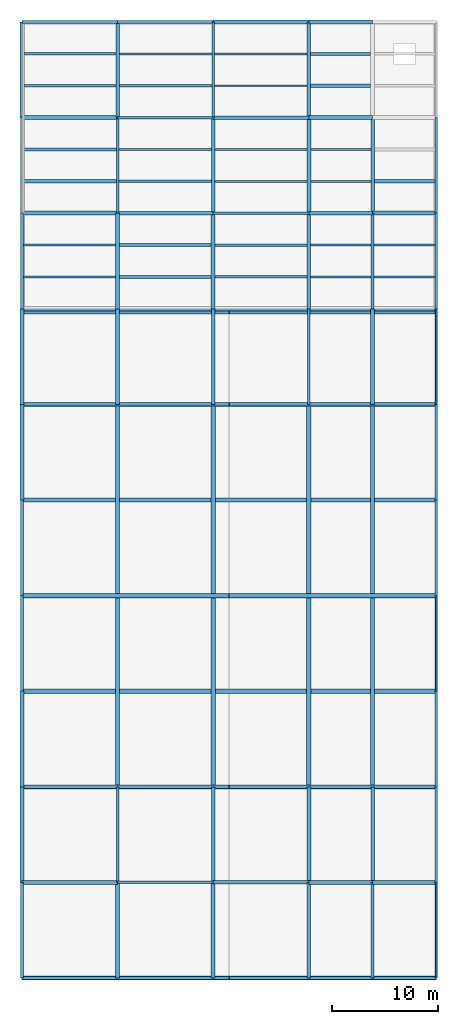
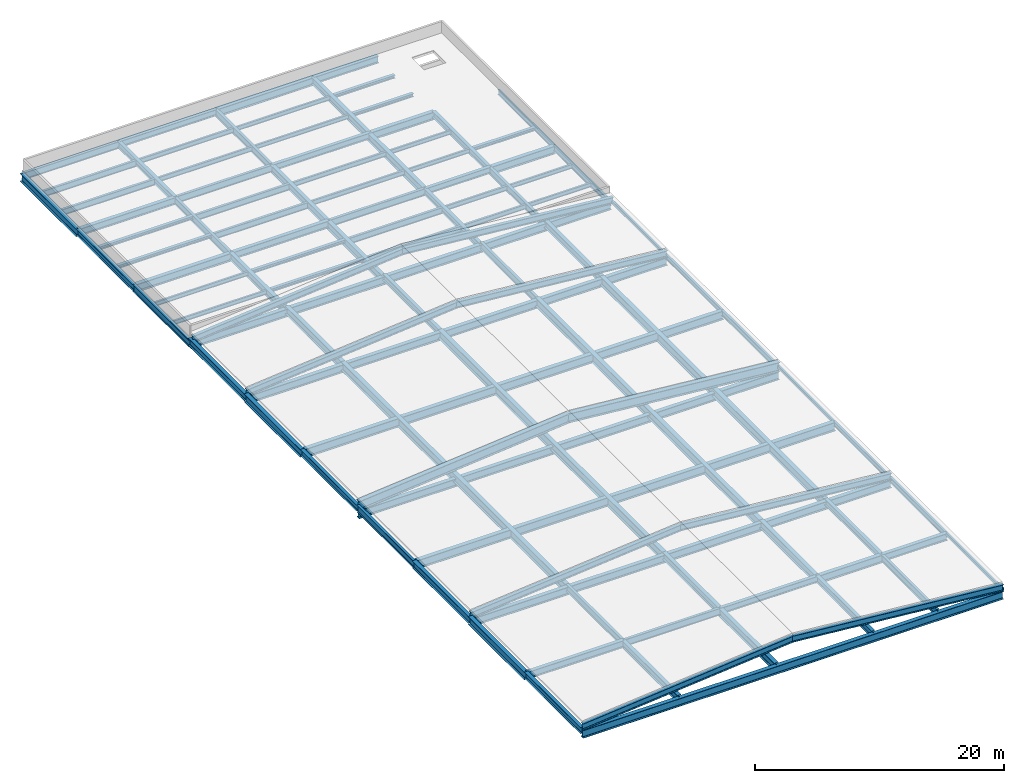
# One storey, part 1 of 3: 108 beams.
"""IFC4 building model written with IfcOpenShell, lengths in metres."""

from ifc_helpers import new_model, si_unit, direction, frame, origin, origin_2d, place, context, subcontext, project, spatial, hollow_rectangle, i_section, extrude, material, material_profile, profile_set, type_object, element, save


model = new_model("IFC4")

# Units and contexts
model_context = context("Model", 3, precision=1e-05, world=origin(), true_north=direction((0.0, 1.0)))
body_context = subcontext(model_context, "Body", "Model", "MODEL_VIEW")
ifc_project = project(units=[si_unit("LENGTHUNIT", "METRE"), si_unit("AREAUNIT", "SQUARE_METRE"), si_unit("VOLUMEUNIT", "CUBIC_METRE"), si_unit("PLANEANGLEUNIT", "RADIAN"), si_unit("MASSUNIT", "GRAM", prefix="KILO")], contexts=[model_context])

# Site, building, storey
site_placement = place(None, origin())
site = spatial("IfcSite", under=ifc_project, at=site_placement, CompositionType="ELEMENT")
building_placement = place(site_placement, origin())
building = spatial("IfcBuilding", under=site, at=building_placement, Name="Qamarlyn Nura Convention Centre", CompositionType="ELEMENT")
storey_placement = place(building_placement, frame((0.0, 0.0, 30.0)))
storey = spatial("IfcBuildingStorey", under=building, at=storey_placement, Name="RF", CompositionType="ELEMENT", Elevation=30.0)

# Beams
ifc_material_1 = material(Name="Steel ASTM A992", Category="steel")
ifc_material_profile_1 = material_profile(ifc_material_1, i_section(OverallWidth=0.41796875, OverallDepth=0.912109375, WebThickness=0.019287109375, FlangeThickness=0.031982421875, FilletRadius=0.02392578125, at=origin_2d()), Name="W920X342")
ifc_profile_set_1 = profile_set([ifc_material_profile_1], Name="Steel ASTM A992")
beam_type_1 = type_object("IfcBeamType", Name="BM-CROWN-920", PredefinedType="BEAM", material=ifc_profile_set_1)
for number, where, z_axis, x_axis, name in (
    (1, (153.0, 36.0, -0.055908203125), (0.995767591834, 0.0, 0.091907034843), (0.0, 1.0, 0.0), "ROOF TRUSS Crown rafter W-Y36"),
    (2, (172.5, 36.0, 1.743896484375), (0.995767591834, 0.0, -0.091907034843), (0.0, 1.0, 0.0), "ROOF TRUSS Crown rafter E-Y36"),
):
    element("IfcBeam", number, at=place(storey_placement, frame(where, z_axis=z_axis, x_axis=x_axis)), inside=storey, type_object=beam_type_1, Name=name, PredefinedType="BEAM", context=body_context, shape_type="SweptSolid", body=[
        extrude(i_section(OverallWidth=0.41796875, OverallDepth=0.912109375, WebThickness=0.019287109375, FlangeThickness=0.031982421875, FilletRadius=0.02392578125, at=origin_2d()), origin(), (0.0, 0.0, 1.0), 19.582763671875),
    ])
ifc_material_profile_2 = material_profile(ifc_material_1, i_section(OverallWidth=0.323974609375, OverallDepth=0.611083984375, WebThickness=0.0126953125, FlangeThickness=0.01904296875, FilletRadius=0.01611328125, at=origin_2d()), Name="W610X155")
ifc_profile_set_2 = profile_set([ifc_material_profile_2], Name="Steel ASTM A992")
beam_type_2 = type_object("IfcBeamType", Name="BM-GIRD-610", PredefinedType="BEAM", material=ifc_profile_set_2)
beam_1_placement = place(storey_placement, frame((171.0, 9.0, -0.305419921875), z_axis=(1.0, 0.0, 0.0), x_axis=(0.0, 1.0, 0.0)))
element("IfcBeam", 3, at=beam_1_placement, inside=storey, type_object=beam_type_2, Name="RF girder B 15-16", PredefinedType="BEAM", context=body_context, shape_type="SweptSolid", body=[
    extrude(i_section(OverallWidth=0.323974609375, OverallDepth=0.611083984375, WebThickness=0.0126953125, FlangeThickness=0.01904296875, FilletRadius=0.01611328125, at=origin_2d()), origin(), (0.0, 0.0, 1.0), 9.0),
])
beam_2_placement = place(storey_placement, frame((180.0, 72.0, -0.510498046875), z_axis=(1.0, 0.0, 0.0), x_axis=(0.0, 1.0, 0.0)))
element("IfcBeam", 4, at=beam_2_placement, inside=storey, type_object=beam_type_2, Name="RF girder J 16-17", PredefinedType="BEAM", context=body_context, shape_type="SweptSolid", body=[
    extrude(i_section(OverallWidth=0.323974609375, OverallDepth=0.611083984375, WebThickness=0.0126953125, FlangeThickness=0.01904296875, FilletRadius=0.01611328125, at=origin_2d()), origin(), (0.0, 0.0, 1.0), 6.0),
])
for number, where, z_axis, x_axis, name in (
    (5, (171.0, 81.0, -0.510498046875), (1.0, 0.0, 0.0), (0.0, 1.0, 0.0), "RF girder K 15-16"),
    (6, (162.0, 90.0, -0.510498046875), (1.0, 0.0, 0.0), (0.0, 1.0, 0.0), "RF girder L 14-15"),
    (7, (153.0, 0.0, -0.305419921875), (0.0, 1.0, 0.0), (-1.0, 0.0, 0.0), "RF girder 13 A-B"),
    (8, (153.0, 36.0, -0.305419921875), (0.0, 1.0, 0.0), (-1.0, 0.0, 0.0), "RF girder 13 E-F"),
    (9, (153.0, 72.0, -0.510498046875), (0.0, 1.0, 0.0), (-1.0, 0.0, 0.0), "RF girder 13 J-K"),
    (10, (162.0, 81.0, -0.510498046875), (0.0, 1.0, 0.0), (-1.0, 0.0, 0.0), "RF girder 14 K-L"),
    (11, (171.0, 54.0, -0.305419921875), (0.0, 1.0, 0.0), (-1.0, 0.0, 0.0), "RF girder 15 G-H"),
    (12, (180.0, 0.0, -0.305419921875), (0.0, 1.0, 0.0), (-1.0, 0.0, 0.0), "RF girder 16 A-B"),
    (13, (180.0, 63.0, -0.510498046875), (0.0, 1.0, 0.0), (-1.0, 0.0, 0.0), "RF girder 16 H-J"),
    (14, (186.0, 9.0, -0.305419921875), (0.0, 1.0, 0.0), (-1.0, 0.0, 0.0), "RF girder 17 B-C"),
    (15, (186.0, 72.0, -0.510498046875), (0.0, 1.0, 0.0), (-1.0, 0.0, 0.0), "RF girder 17 J-K"),
):
    element("IfcBeam", number, at=place(storey_placement, frame(where, z_axis=z_axis, x_axis=x_axis)), inside=storey, type_object=beam_type_2, Name=name, PredefinedType="BEAM", context=body_context, shape_type="SweptSolid", body=[
        extrude(i_section(OverallWidth=0.323974609375, OverallDepth=0.611083984375, WebThickness=0.0126953125, FlangeThickness=0.01904296875, FilletRadius=0.01611328125, at=origin_2d()), origin(), (0.0, 0.0, 1.0), 9.0),
    ])
for number, where, z_axis, x_axis, name in (
    (16, (153.0, 0.0, 0.094482421875), (0.995766450799, 0.0, 0.091919396556), (0.0, 1.0, 0.0), "ROOF TRUSS Crown rafter W-Y0"),
    (17, (172.5, 0.0, 1.89453125), (0.995766450799, 0.0, -0.091919396556), (0.0, 1.0, 0.0), "ROOF TRUSS Crown rafter E-Y0"),
    (18, (153.0, 18.0, 0.094482421875), (0.995766450799, 0.0, 0.091919396556), (0.0, 1.0, 0.0), "ROOF TRUSS Crown rafter W-Y18"),
    (19, (172.5, 18.0, 1.89453125), (0.995766450799, 0.0, -0.091919396556), (0.0, 1.0, 0.0), "ROOF TRUSS Crown rafter E-Y18"),
    (20, (153.0, 54.0, 0.094482421875), (0.995766450799, 0.0, 0.091919396556), (0.0, 1.0, 0.0), "ROOF TRUSS Crown rafter W-Y54"),
    (21, (172.5, 54.0, 1.89453125), (0.995766450799, 0.0, -0.091919396556), (0.0, 1.0, 0.0), "ROOF TRUSS Crown rafter E-Y54"),
    (22, (153.0, 62.64990234375, 0.094482421875), (0.995766450799, 0.0, 0.091919396556), (0.0, 1.0, 0.0), "ROOF TRUSS Crown rafter W-Y63"),
    (23, (172.5, 62.64990234375, 1.89453125), (0.995766450799, 0.0, -0.091919396556), (0.0, 1.0, 0.0), "ROOF TRUSS Crown rafter E-Y63"),
):
    element("IfcBeam", number, at=place(storey_placement, frame(where, z_axis=z_axis, x_axis=x_axis)), inside=storey, type_object=beam_type_2, Name=name, PredefinedType="BEAM", context=body_context, shape_type="SweptSolid", body=[
        extrude(i_section(OverallWidth=0.323974609375, OverallDepth=0.611083984375, WebThickness=0.0126953125, FlangeThickness=0.01904296875, FilletRadius=0.01611328125, at=origin_2d()), origin(), (0.0, 0.0, 1.0), 19.5830078125),
    ])
ifc_material_profile_3 = material_profile(ifc_material_1, i_section(OverallWidth=0.35498046875, OverallDepth=0.695068359375, WebThickness=0.015380859375, FlangeThickness=0.02490234375, FilletRadius=0.01806640625, at=origin_2d()), Name="W690X217")
ifc_profile_set_3 = profile_set([ifc_material_profile_3], Name="Steel ASTM A992")
beam_type_3 = type_object("IfcBeamType", Name="BM-GIRD-690A", PredefinedType="BEAM", material=ifc_profile_set_3)
beam_3_placement = place(storey_placement, frame((153.0, 9.0, -0.347412109375), z_axis=(1.0, 0.0, 0.0), x_axis=(0.0, 1.0, 0.0)))
element("IfcBeam", 24, at=beam_3_placement, inside=storey, type_object=beam_type_3, Name="RF girder B 13-14", PredefinedType="BEAM", context=body_context, shape_type="SweptSolid", body=[
    extrude(i_section(OverallWidth=0.35498046875, OverallDepth=0.695068359375, WebThickness=0.015380859375, FlangeThickness=0.02490234375, FilletRadius=0.01806640625, at=origin_2d()), origin(), (0.0, 0.0, 1.0), 9.0),
])
beam_4_placement = place(storey_placement, frame((186.0, 9.0, -0.347412109375), z_axis=(1.0, 0.0, 0.0), x_axis=(0.0, 1.0, 0.0)))
element("IfcBeam", 25, at=beam_4_placement, inside=storey, type_object=beam_type_3, Name="RF girder B 17-18", PredefinedType="BEAM", context=body_context, shape_type="SweptSolid", body=[
    extrude(i_section(OverallWidth=0.35498046875, OverallDepth=0.695068359375, WebThickness=0.015380859375, FlangeThickness=0.02490234375, FilletRadius=0.01806640625, at=origin_2d()), origin(), (0.0, 0.0, 1.0), 6.0),
])
for number, where, z_axis, x_axis, name in (
    (26, (162.0, 72.0, -0.552490234375), (1.0, 0.0, 0.0), (0.0, 1.0, 0.0), "RF girder J 14-15"),
    (27, (153.0, 81.0, -0.552490234375), (1.0, 0.0, 0.0), (0.0, 1.0, 0.0), "RF girder K 13-14"),
):
    element("IfcBeam", number, at=place(storey_placement, frame(where, z_axis=z_axis, x_axis=x_axis)), inside=storey, type_object=beam_type_3, Name=name, PredefinedType="BEAM", context=body_context, shape_type="SweptSolid", body=[
        extrude(i_section(OverallWidth=0.35498046875, OverallDepth=0.695068359375, WebThickness=0.015380859375, FlangeThickness=0.02490234375, FilletRadius=0.01806640625, at=origin_2d()), origin(), (0.0, 0.0, 1.0), 9.0),
    ])
beam_5_placement = place(storey_placement, frame((180.0, 90.0, -0.552490234375), z_axis=(1.0, 0.0, 0.0), x_axis=(0.0, 1.0, 0.0)))
element("IfcBeam", 28, at=beam_5_placement, inside=storey, type_object=beam_type_3, Name="RF girder L 16-17", PredefinedType="BEAM", context=body_context, shape_type="SweptSolid", body=[
    extrude(i_section(OverallWidth=0.35498046875, OverallDepth=0.695068359375, WebThickness=0.015380859375, FlangeThickness=0.02490234375, FilletRadius=0.01806640625, at=origin_2d()), origin(), (0.0, 0.0, 1.0), 6.0),
])
for number, where, z_axis, x_axis, name in (
    (29, (153.0, 18.0, -0.347412109375), (0.0, 1.0, 0.0), (-1.0, 0.0, 0.0), "RF girder 13 C-D"),
    (30, (153.0, 54.0, -0.347412109375), (0.0, 1.0, 0.0), (-1.0, 0.0, 0.0), "RF girder 13 G-H"),
    (31, (162.0, 0.0, -0.347412109375), (0.0, 1.0, 0.0), (-1.0, 0.0, 0.0), "RF girder 14 A-B"),
    (32, (162.0, 63.0, -0.552490234375), (0.0, 1.0, 0.0), (-1.0, 0.0, 0.0), "RF girder 14 H-J"),
    (33, (171.0, 9.0, -0.347412109375), (0.0, 1.0, 0.0), (-1.0, 0.0, 0.0), "RF girder 15 B-C"),
    (34, (171.0, 72.0, -0.552490234375), (0.0, 1.0, 0.0), (-1.0, 0.0, 0.0), "RF girder 15 J-K"),
    (35, (180.0, 81.0, -0.552490234375), (0.0, 1.0, 0.0), (-1.0, 0.0, 0.0), "RF girder 16 K-L"),
    (36, (186.0, 54.0, -0.347412109375), (0.0, 1.0, 0.0), (-1.0, 0.0, 0.0), "RF girder 17 G-H"),
):
    element("IfcBeam", number, at=place(storey_placement, frame(where, z_axis=z_axis, x_axis=x_axis)), inside=storey, type_object=beam_type_3, Name=name, PredefinedType="BEAM", context=body_context, shape_type="SweptSolid", body=[
        extrude(i_section(OverallWidth=0.35498046875, OverallDepth=0.695068359375, WebThickness=0.015380859375, FlangeThickness=0.02490234375, FilletRadius=0.01806640625, at=origin_2d()), origin(), (0.0, 0.0, 1.0), 9.0),
    ])
ifc_material_profile_4 = material_profile(ifc_material_1, i_section(OverallWidth=0.25390625, OverallDepth=0.68408203125, WebThickness=0.012451171875, FlangeThickness=0.01904296875, FilletRadius=0.01806640625, at=origin_2d()), Name="W690X140")
ifc_profile_set_4 = profile_set([ifc_material_profile_4], Name="Steel ASTM A992")
beam_type_4 = type_object("IfcBeamType", Name="BM-GIRD-690B", PredefinedType="BEAM", material=ifc_profile_set_4)
for number, where, z_axis, x_axis, name in (
    (37, (162.0, 9.0, -0.342041015625), (1.0, 0.0, 0.0), (0.0, 1.0, 0.0), "RF girder B 14-15"),
    (38, (171.0, 72.0, -0.547119140625), (1.0, 0.0, 0.0), (0.0, 1.0, 0.0), "RF girder J 15-16"),
    (39, (162.0, 81.0, -0.547119140625), (1.0, 0.0, 0.0), (0.0, 1.0, 0.0), "RF girder K 14-15"),
    (40, (153.0, 90.0, -0.547119140625), (1.0, 0.0, 0.0), (0.0, 1.0, 0.0), "RF girder L 13-14"),
    (41, (153.0, 27.0, -0.342041015625), (0.0, 1.0, 0.0), (-1.0, 0.0, 0.0), "RF girder 13 D-E"),
    (42, (153.0, 63.0, -0.547119140625), (0.0, 1.0, 0.0), (-1.0, 0.0, 0.0), "RF girder 13 H-J"),
    (43, (162.0, 9.0, -0.342041015625), (0.0, 1.0, 0.0), (-1.0, 0.0, 0.0), "RF girder 14 B-C"),
    (44, (162.0, 72.0, -0.547119140625), (0.0, 1.0, 0.0), (-1.0, 0.0, 0.0), "RF girder 14 J-K"),
    (45, (171.0, 81.0, -0.547119140625), (0.0, 1.0, 0.0), (-1.0, 0.0, 0.0), "RF girder 15 K-L"),
    (46, (180.0, 54.0, -0.342041015625), (0.0, 1.0, 0.0), (-1.0, 0.0, 0.0), "RF girder 16 G-H"),
    (47, (186.0, 0.0, -0.342041015625), (0.0, 1.0, 0.0), (-1.0, 0.0, 0.0), "RF girder 17 A-B"),
    (48, (186.0, 63.0, -0.547119140625), (0.0, 1.0, 0.0), (-1.0, 0.0, 0.0), "RF girder 17 H-J"),
):
    element("IfcBeam", number, at=place(storey_placement, frame(where, z_axis=z_axis, x_axis=x_axis)), inside=storey, type_object=beam_type_4, Name=name, PredefinedType="BEAM", context=body_context, shape_type="SweptSolid", body=[
        extrude(i_section(OverallWidth=0.25390625, OverallDepth=0.68408203125, WebThickness=0.012451171875, FlangeThickness=0.01904296875, FilletRadius=0.01806640625, at=origin_2d()), origin(), (0.0, 0.0, 1.0), 9.0),
    ])
ifc_material_profile_5 = material_profile(ifc_material_1, i_section(OverallWidth=0.381103515625, OverallDepth=0.77294921875, WebThickness=0.0166015625, FlangeThickness=0.027587890625, FilletRadius=0.02001953125, at=origin_2d()), Name="W760X257")
ifc_profile_set_5 = profile_set([ifc_material_profile_5], Name="Steel ASTM A992")
beam_type_5 = type_object("IfcBeamType", Name="BM-GIRD-760", PredefinedType="BEAM", material=ifc_profile_set_5)
beam_6_placement = place(storey_placement, frame((180.0, 9.0, -0.386474609375), z_axis=(1.0, 0.0, 0.0), x_axis=(0.0, 1.0, 0.0)))
element("IfcBeam", 49, at=beam_6_placement, inside=storey, type_object=beam_type_5, Name="RF girder B 16-17", PredefinedType="BEAM", context=body_context, shape_type="SweptSolid", body=[
    extrude(i_section(OverallWidth=0.381103515625, OverallDepth=0.77294921875, WebThickness=0.0166015625, FlangeThickness=0.027587890625, FilletRadius=0.02001953125, at=origin_2d()), origin(), (0.0, 0.0, 1.0), 6.0),
])
beam_7_placement = place(storey_placement, frame((153.0, 72.0, -0.591552734375), z_axis=(1.0, 0.0, 0.0), x_axis=(0.0, 1.0, 0.0)))
element("IfcBeam", 50, at=beam_7_placement, inside=storey, type_object=beam_type_5, Name="RF girder J 13-14", PredefinedType="BEAM", context=body_context, shape_type="SweptSolid", body=[
    extrude(i_section(OverallWidth=0.381103515625, OverallDepth=0.77294921875, WebThickness=0.0166015625, FlangeThickness=0.027587890625, FilletRadius=0.02001953125, at=origin_2d()), origin(), (0.0, 0.0, 1.0), 9.0),
])
for number, where, z_axis, x_axis, name in (
    (51, (186.0, 72.0, -0.591552734375), (1.0, 0.0, 0.0), (0.0, 1.0, 0.0), "RF girder J 17-18"),
    (52, (180.0, 81.0, -0.591552734375), (1.0, 0.0, 0.0), (0.0, 1.0, 0.0), "RF girder K 16-17"),
):
    element("IfcBeam", number, at=place(storey_placement, frame(where, z_axis=z_axis, x_axis=x_axis)), inside=storey, type_object=beam_type_5, Name=name, PredefinedType="BEAM", context=body_context, shape_type="SweptSolid", body=[
        extrude(i_section(OverallWidth=0.381103515625, OverallDepth=0.77294921875, WebThickness=0.0166015625, FlangeThickness=0.027587890625, FilletRadius=0.02001953125, at=origin_2d()), origin(), (0.0, 0.0, 1.0), 6.0),
    ])
for number, where, z_axis, x_axis, name in (
    (53, (171.0, 90.0, -0.591552734375), (1.0, 0.0, 0.0), (0.0, 1.0, 0.0), "RF girder L 15-16"),
    (54, (153.0, 9.0, -0.386474609375), (0.0, 1.0, 0.0), (-1.0, 0.0, 0.0), "RF girder 13 B-C"),
    (55, (153.0, 45.0, -0.386474609375), (0.0, 1.0, 0.0), (-1.0, 0.0, 0.0), "RF girder 13 F-G"),
    (56, (153.0, 81.0, -0.591552734375), (0.0, 1.0, 0.0), (-1.0, 0.0, 0.0), "RF girder 13 K-L"),
    (57, (162.0, 54.0, -0.386474609375), (0.0, 1.0, 0.0), (-1.0, 0.0, 0.0), "RF girder 14 G-H"),
    (58, (171.0, 0.0, -0.386474609375), (0.0, 1.0, 0.0), (-1.0, 0.0, 0.0), "RF girder 15 A-B"),
    (59, (171.0, 63.0, -0.591552734375), (0.0, 1.0, 0.0), (-1.0, 0.0, 0.0), "RF girder 15 H-J"),
    (60, (180.0, 9.0, -0.386474609375), (0.0, 1.0, 0.0), (-1.0, 0.0, 0.0), "RF girder 16 B-C"),
    (61, (180.0, 72.0, -0.591552734375), (0.0, 1.0, 0.0), (-1.0, 0.0, 0.0), "RF girder 16 J-K"),
):
    element("IfcBeam", number, at=place(storey_placement, frame(where, z_axis=z_axis, x_axis=x_axis)), inside=storey, type_object=beam_type_5, Name=name, PredefinedType="BEAM", context=body_context, shape_type="SweptSolid", body=[
        extrude(i_section(OverallWidth=0.381103515625, OverallDepth=0.77294921875, WebThickness=0.0166015625, FlangeThickness=0.027587890625, FilletRadius=0.02001953125, at=origin_2d()), origin(), (0.0, 0.0, 1.0), 9.0),
    ])
for number, where, z_axis, x_axis, name in (
    (62, (153.0, 0.0, -0.6044921875), (1.0, 0.0, 0.0), (0.0, 1.0, 0.0), "ROOF TRUSS Crown tie girder Y0"),
    (63, (153.0, 18.0, -0.6044921875), (1.0, 0.0, 0.0), (0.0, 1.0, 0.0), "ROOF TRUSS Crown tie girder Y18"),
    (64, (153.0, 36.0, -0.905517578125), (1.0, 0.0, 0.0), (0.0, 1.0, 0.0), "ROOF TRUSS Crown tie girder Y36"),
    (65, (153.0, 54.0, -0.6044921875), (1.0, 0.0, 0.0), (0.0, 1.0, 0.0), "ROOF TRUSS Crown tie girder Y54"),
    (66, (153.0, 63.0, -0.6044921875), (1.0, 0.0, 0.0), (0.0, 1.0, 0.0), "ROOF TRUSS Crown tie girder Y63"),
):
    element("IfcBeam", number, at=place(storey_placement, frame(where, z_axis=z_axis, x_axis=x_axis)), inside=storey, type_object=beam_type_5, Name=name, PredefinedType="BEAM", context=body_context, shape_type="SweptSolid", body=[
        extrude(i_section(OverallWidth=0.381103515625, OverallDepth=0.77294921875, WebThickness=0.0166015625, FlangeThickness=0.027587890625, FilletRadius=0.02001953125, at=origin_2d()), origin(), (0.0, 0.0, 1.0), 39.0),
    ])
ifc_material_profile_6 = material_profile(ifc_material_1, i_section(OverallWidth=0.39990234375, OverallDepth=0.85498046875, WebThickness=0.018310546875, FlangeThickness=0.029296875, FilletRadius=0.02197265625, at=origin_2d()), Name="W840X299")
ifc_profile_set_6 = profile_set([ifc_material_profile_6], Name="Steel ASTM A992")
beam_type_6 = type_object("IfcBeamType", Name="BM-GIRD-840", PredefinedType="BEAM", material=ifc_profile_set_6)
for number, where, z_axis, x_axis, name in (
    (67, (153.0, 27.0, -0.427490234375), (1.0, 0.0, 0.0), (0.0, 1.0, 0.0), "RF girder D 13-18"),
    (68, (153.0, 45.0, -0.427490234375), (1.0, 0.0, 0.0), (0.0, 1.0, 0.0), "RF girder F 13-18"),
):
    element("IfcBeam", number, at=place(storey_placement, frame(where, z_axis=z_axis, x_axis=x_axis)), inside=storey, type_object=beam_type_6, Name=name, PredefinedType="BEAM", context=body_context, shape_type="SweptSolid", body=[
        extrude(i_section(OverallWidth=0.39990234375, OverallDepth=0.85498046875, WebThickness=0.018310546875, FlangeThickness=0.029296875, FilletRadius=0.02197265625, at=origin_2d()), origin(), (0.0, 0.0, 1.0), 39.0),
    ])
for number, where, z_axis, x_axis, name in (
    (69, (162.0, 18.0, -0.427490234375), (0.0, 1.0, 0.0), (-1.0, 0.0, 0.0), "RF girder 14 C-G"),
    (70, (171.0, 18.0, -0.427490234375), (0.0, 1.0, 0.0), (-1.0, 0.0, 0.0), "RF girder 15 C-G"),
    (71, (180.0, 18.0, -0.427490234375), (0.0, 1.0, 0.0), (-1.0, 0.0, 0.0), "RF girder 16 C-G"),
    (72, (186.0, 18.0, -0.427490234375), (0.0, 1.0, 0.0), (-1.0, 0.0, 0.0), "RF girder 17 C-G"),
):
    element("IfcBeam", number, at=place(storey_placement, frame(where, z_axis=z_axis, x_axis=x_axis)), inside=storey, type_object=beam_type_6, Name=name, PredefinedType="BEAM", context=body_context, shape_type="SweptSolid", body=[
        extrude(i_section(OverallWidth=0.39990234375, OverallDepth=0.85498046875, WebThickness=0.018310546875, FlangeThickness=0.029296875, FilletRadius=0.02197265625, at=origin_2d()), origin(), (0.0, 0.0, 1.0), 36.0),
    ])
ifc_material_profile_7 = material_profile(ifc_material_1, i_section(OverallWidth=0.304931640625, OverallDepth=0.30810546875, WebThickness=0.010009765625, FlangeThickness=0.015380859375, FilletRadius=0.014892578125, at=origin_2d()), Name="W310X97")
ifc_profile_set_7 = profile_set([ifc_material_profile_7], Name="Steel ASTM A992")
beam_type_7 = type_object("IfcBeamType", Name="BM-JOIST-310", PredefinedType="JOIST", material=ifc_profile_set_7)
for number, where, z_axis, x_axis, name in (
    (73, (153.162109375, 75.0, -0.35888671875), (1.0, 0.0, 0.0), (0.0, 1.0, 0.0), "RF composite joist 13-14/J+1"),
    (74, (153.162109375, 78.0, -0.35888671875), (1.0, 0.0, 0.0), (0.0, 1.0, 0.0), "RF composite joist 13-14/J+2"),
):
    element("IfcBeam", number, at=place(storey_placement, frame(where, z_axis=z_axis, x_axis=x_axis)), inside=storey, type_object=beam_type_7, Name=name, PredefinedType="JOIST", context=body_context, shape_type="SweptSolid", body=[
        extrude(i_section(OverallWidth=0.304931640625, OverallDepth=0.30810546875, WebThickness=0.010009765625, FlangeThickness=0.015380859375, FilletRadius=0.014892578125, at=origin_2d()), origin(), (0.0, 0.0, 1.0), 8.7109375),
    ])
for number, where, z_axis, x_axis, name in (
    (75, (162.177490234375, 66.0, -0.35888671875), (1.0, 0.0, 0.0), (0.0, 1.0, 0.0), "RF composite joist 14-15/H+1"),
    (76, (162.177490234375, 69.0, -0.35888671875), (1.0, 0.0, 0.0), (0.0, 1.0, 0.0), "RF composite joist 14-15/H+2"),
):
    element("IfcBeam", number, at=place(storey_placement, frame(where, z_axis=z_axis, x_axis=x_axis)), inside=storey, type_object=beam_type_7, Name=name, PredefinedType="JOIST", context=body_context, shape_type="SweptSolid", body=[
        extrude(i_section(OverallWidth=0.304931640625, OverallDepth=0.30810546875, WebThickness=0.010009765625, FlangeThickness=0.015380859375, FilletRadius=0.014892578125, at=origin_2d()), origin(), (0.0, 0.0, 1.0), 8.632080078125),
    ])
for number, where, z_axis, x_axis, name in (
    (77, (180.177490234375, 84.0, -0.35888671875), (1.0, 0.0, 0.0), (0.0, 1.0, 0.0), "RF composite joist 16-17/K+1"),
    (78, (180.177490234375, 87.0, -0.35888671875), (1.0, 0.0, 0.0), (0.0, 1.0, 0.0), "RF composite joist 16-17/K+2"),
):
    element("IfcBeam", number, at=place(storey_placement, frame(where, z_axis=z_axis, x_axis=x_axis)), inside=storey, type_object=beam_type_7, Name=name, PredefinedType="JOIST", context=body_context, shape_type="SweptSolid", body=[
        extrude(i_section(OverallWidth=0.304931640625, OverallDepth=0.30810546875, WebThickness=0.010009765625, FlangeThickness=0.015380859375, FilletRadius=0.014892578125, at=origin_2d()), origin(), (0.0, 0.0, 1.0), 5.632080078125),
    ])
beam_8_placement = place(storey_placement, frame((186.162109375, 75.0, -0.35888671875), z_axis=(1.0, 0.0, 0.0), x_axis=(0.0, 1.0, 0.0)))
element("IfcBeam", 79, at=beam_8_placement, inside=storey, type_object=beam_type_7, Name="RF composite joist 17-18/J+1", PredefinedType="JOIST", context=body_context, shape_type="SweptSolid", body=[
    extrude(i_section(OverallWidth=0.304931640625, OverallDepth=0.30810546875, WebThickness=0.010009765625, FlangeThickness=0.015380859375, FilletRadius=0.014892578125, at=origin_2d()), origin(), (0.0, 0.0, 1.0), 5.741455078125),
])
ifc_material_profile_8 = material_profile(ifc_material_1, i_section(OverallWidth=0.177978515625, OverallDepth=0.406982421875, WebThickness=0.0078125, FlangeThickness=0.0126953125, FilletRadius=0.011962890625, at=origin_2d()), Name="W410X60")
ifc_profile_set_8 = profile_set([ifc_material_profile_8], Name="Steel ASTM A992")
beam_type_8 = type_object("IfcBeamType", Name="BM-JOIST-410", PredefinedType="JOIST", material=ifc_profile_set_8)
for number, where, z_axis, x_axis, name in (
    (80, (153.126953125, 66.0, -0.408447265625), (1.0, 0.0, 0.0), (0.0, 1.0, 0.0), "RF composite joist 13-14/H+1"),
    (81, (153.126953125, 69.0, -0.408447265625), (1.0, 0.0, 0.0), (0.0, 1.0, 0.0), "RF composite joist 13-14/H+2"),
    (82, (171.126953125, 84.0, -0.408447265625), (1.0, 0.0, 0.0), (0.0, 1.0, 0.0), "RF composite joist 15-16/K+1"),
    (83, (171.126953125, 87.0, -0.408447265625), (1.0, 0.0, 0.0), (0.0, 1.0, 0.0), "RF composite joist 15-16/K+2"),
):
    element("IfcBeam", number, at=place(storey_placement, frame(where, z_axis=z_axis, x_axis=x_axis)), inside=storey, type_object=beam_type_8, Name=name, PredefinedType="JOIST", context=body_context, shape_type="SweptSolid", body=[
        extrude(i_section(OverallWidth=0.177978515625, OverallDepth=0.406982421875, WebThickness=0.0078125, FlangeThickness=0.0126953125, FilletRadius=0.011962890625, at=origin_2d()), origin(), (0.0, 0.0, 1.0), 8.695556640625),
    ])
for number, where, z_axis, x_axis, name in (
    (84, (180.1904296875, 75.0, -0.408447265625), (1.0, 0.0, 0.0), (0.0, 1.0, 0.0), "RF composite joist 16-17/J+1"),
    (85, (180.1904296875, 78.0, -0.408447265625), (1.0, 0.0, 0.0), (0.0, 1.0, 0.0), "RF composite joist 16-17/J+2"),
):
    element("IfcBeam", number, at=place(storey_placement, frame(where, z_axis=z_axis, x_axis=x_axis)), inside=storey, type_object=beam_type_8, Name=name, PredefinedType="JOIST", context=body_context, shape_type="SweptSolid", body=[
        extrude(i_section(OverallWidth=0.177978515625, OverallDepth=0.406982421875, WebThickness=0.0078125, FlangeThickness=0.0126953125, FilletRadius=0.011962890625, at=origin_2d()), origin(), (0.0, 0.0, 1.0), 5.6474609375),
    ])
for number, where, z_axis, x_axis, name in (
    (86, (186.126953125, 66.0, -0.408447265625), (1.0, 0.0, 0.0), (0.0, 1.0, 0.0), "RF composite joist 17-18/H+1"),
    (87, (186.126953125, 69.0, -0.408447265625), (1.0, 0.0, 0.0), (0.0, 1.0, 0.0), "RF composite joist 17-18/H+2"),
):
    element("IfcBeam", number, at=place(storey_placement, frame(where, z_axis=z_axis, x_axis=x_axis)), inside=storey, type_object=beam_type_8, Name=name, PredefinedType="JOIST", context=body_context, shape_type="SweptSolid", body=[
        extrude(i_section(OverallWidth=0.177978515625, OverallDepth=0.406982421875, WebThickness=0.0078125, FlangeThickness=0.0126953125, FilletRadius=0.011962890625, at=origin_2d()), origin(), (0.0, 0.0, 1.0), 5.767578125),
    ])
ifc_material_profile_9 = material_profile(ifc_material_1, i_section(OverallWidth=0.18994140625, OverallDepth=0.45703125, WebThickness=0.009033203125, FlangeThickness=0.014404296875, FilletRadius=0.012939453125, at=origin_2d()), Name="W460X74")
ifc_profile_set_9 = profile_set([ifc_material_profile_9], Name="Steel ASTM A992")
beam_type_9 = type_object("IfcBeamType", Name="BM-JOIST-460", PredefinedType="JOIST", material=ifc_profile_set_9)
for number, where, z_axis, x_axis, name in (
    (88, (162.162109375, 84.0, -0.43359375), (1.0, 0.0, 0.0), (0.0, 1.0, 0.0), "RF composite joist 14-15/K+1"),
    (89, (162.162109375, 87.0, -0.43359375), (1.0, 0.0, 0.0), (0.0, 1.0, 0.0), "RF composite joist 14-15/K+2"),
):
    element("IfcBeam", number, at=place(storey_placement, frame(where, z_axis=z_axis, x_axis=x_axis)), inside=storey, type_object=beam_type_9, Name=name, PredefinedType="JOIST", context=body_context, shape_type="SweptSolid", body=[
        extrude(i_section(OverallWidth=0.18994140625, OverallDepth=0.45703125, WebThickness=0.009033203125, FlangeThickness=0.014404296875, FilletRadius=0.012939453125, at=origin_2d()), origin(), (0.0, 0.0, 1.0), 8.7109375),
    ])
for number, where, z_axis, x_axis, name in (
    (90, (171.177490234375, 75.0, -0.43359375), (1.0, 0.0, 0.0), (0.0, 1.0, 0.0), "RF composite joist 15-16/J+1"),
    (91, (171.177490234375, 78.0, -0.43359375), (1.0, 0.0, 0.0), (0.0, 1.0, 0.0), "RF composite joist 15-16/J+2"),
):
    element("IfcBeam", number, at=place(storey_placement, frame(where, z_axis=z_axis, x_axis=x_axis)), inside=storey, type_object=beam_type_9, Name=name, PredefinedType="JOIST", context=body_context, shape_type="SweptSolid", body=[
        extrude(i_section(OverallWidth=0.18994140625, OverallDepth=0.45703125, WebThickness=0.009033203125, FlangeThickness=0.014404296875, FilletRadius=0.012939453125, at=origin_2d()), origin(), (0.0, 0.0, 1.0), 8.632080078125),
    ])
for number, where, z_axis, x_axis, name in (
    (92, (180.162109375, 66.0, -0.43359375), (1.0, 0.0, 0.0), (0.0, 1.0, 0.0), "RF composite joist 16-17/H+1"),
    (93, (180.162109375, 69.0, -0.43359375), (1.0, 0.0, 0.0), (0.0, 1.0, 0.0), "RF composite joist 16-17/H+2"),
):
    element("IfcBeam", number, at=place(storey_placement, frame(where, z_axis=z_axis, x_axis=x_axis)), inside=storey, type_object=beam_type_9, Name=name, PredefinedType="JOIST", context=body_context, shape_type="SweptSolid", body=[
        extrude(i_section(OverallWidth=0.18994140625, OverallDepth=0.45703125, WebThickness=0.009033203125, FlangeThickness=0.014404296875, FilletRadius=0.012939453125, at=origin_2d()), origin(), (0.0, 0.0, 1.0), 5.7109375),
    ])
ifc_material_profile_10 = material_profile(ifc_material_1, i_section(OverallWidth=0.22802734375, OverallDepth=0.60791015625, WebThickness=0.01123046875, FlangeThickness=0.017333984375, FilletRadius=0.01611328125, at=origin_2d()), Name="W610X113")
ifc_profile_set_10 = profile_set([ifc_material_profile_10], Name="Steel ASTM A992")
beam_type_10 = type_object("IfcBeamType", Name="BM-JOIST-610", PredefinedType="JOIST", material=ifc_profile_set_10)
for number, where, z_axis, x_axis, name in (
    (94, (153.1904296875, 84.0, -0.509033203125), (1.0, 0.0, 0.0), (0.0, 1.0, 0.0), "RF composite joist 13-14/K+1"),
    (95, (153.1904296875, 87.0, -0.509033203125), (1.0, 0.0, 0.0), (0.0, 1.0, 0.0), "RF composite joist 13-14/K+2"),
):
    element("IfcBeam", number, at=place(storey_placement, frame(where, z_axis=z_axis, x_axis=x_axis)), inside=storey, type_object=beam_type_10, Name=name, PredefinedType="JOIST", context=body_context, shape_type="SweptSolid", body=[
        extrude(i_section(OverallWidth=0.22802734375, OverallDepth=0.60791015625, WebThickness=0.01123046875, FlangeThickness=0.017333984375, FilletRadius=0.01611328125, at=origin_2d()), origin(), (0.0, 0.0, 1.0), 8.6474609375),
    ])
for number, where, z_axis, x_axis, name in (
    (96, (162.126953125, 75.0, -0.509033203125), (1.0, 0.0, 0.0), (0.0, 1.0, 0.0), "RF composite joist 14-15/J+1"),
    (97, (162.126953125, 78.0, -0.509033203125), (1.0, 0.0, 0.0), (0.0, 1.0, 0.0), "RF composite joist 14-15/J+2"),
):
    element("IfcBeam", number, at=place(storey_placement, frame(where, z_axis=z_axis, x_axis=x_axis)), inside=storey, type_object=beam_type_10, Name=name, PredefinedType="JOIST", context=body_context, shape_type="SweptSolid", body=[
        extrude(i_section(OverallWidth=0.22802734375, OverallDepth=0.60791015625, WebThickness=0.01123046875, FlangeThickness=0.017333984375, FilletRadius=0.01611328125, at=origin_2d()), origin(), (0.0, 0.0, 1.0), 8.695556640625),
    ])
for number, where, z_axis, x_axis, name in (
    (98, (171.1904296875, 66.0, -0.509033203125), (1.0, 0.0, 0.0), (0.0, 1.0, 0.0), "RF composite joist 15-16/H+1"),
    (99, (171.1904296875, 69.0, -0.509033203125), (1.0, 0.0, 0.0), (0.0, 1.0, 0.0), "RF composite joist 15-16/H+2"),
):
    element("IfcBeam", number, at=place(storey_placement, frame(where, z_axis=z_axis, x_axis=x_axis)), inside=storey, type_object=beam_type_10, Name=name, PredefinedType="JOIST", context=body_context, shape_type="SweptSolid", body=[
        extrude(i_section(OverallWidth=0.22802734375, OverallDepth=0.60791015625, WebThickness=0.01123046875, FlangeThickness=0.017333984375, FilletRadius=0.01611328125, at=origin_2d()), origin(), (0.0, 0.0, 1.0), 8.6474609375),
    ])
ifc_material_profile_11 = material_profile(ifc_material_1, i_section(OverallWidth=0.193115234375, OverallDepth=0.466064453125, WebThickness=0.011474609375, FlangeThickness=0.01904296875, FilletRadius=0.012939453125, at=origin_2d()), Name="W460X97")
ifc_profile_set_11 = profile_set([ifc_material_profile_11], Name="Steel ASTM A992")
beam_type_11 = type_object("IfcBeamType", Name="BM-SPAN-460", PredefinedType="SPANDREL", material=ifc_profile_set_11)
for number, where, z_axis, x_axis, name in (
    (100, (192.0, 18.0, -0.23291015625), (0.0, 1.0, 0.0), (-1.0, 0.0, 0.0), "RF girder 18 C-D"),
    (101, (192.0, 45.0, -0.23291015625), (0.0, 1.0, 0.0), (-1.0, 0.0, 0.0), "RF girder 18 F-G"),
    (102, (192.0, 72.0, -0.43798828125), (0.0, 1.0, 0.0), (-1.0, 0.0, 0.0), "RF girder 18 J-K"),
):
    element("IfcBeam", number, at=place(storey_placement, frame(where, z_axis=z_axis, x_axis=x_axis)), inside=storey, type_object=beam_type_11, Name=name, PredefinedType="SPANDREL", context=body_context, shape_type="SweptSolid", body=[
        extrude(i_section(OverallWidth=0.193115234375, OverallDepth=0.466064453125, WebThickness=0.011474609375, FlangeThickness=0.01904296875, FilletRadius=0.012939453125, at=origin_2d()), origin(), (0.0, 0.0, 1.0), 9.0),
    ])
ifc_material_profile_12 = material_profile(ifc_material_1, i_section(OverallWidth=0.2109375, OverallDepth=0.5390625, WebThickness=0.01171875, FlangeThickness=0.018798828125, FilletRadius=0.013916015625, at=origin_2d()), Name="W530X109")
ifc_profile_set_12 = profile_set([ifc_material_profile_12], Name="Steel ASTM A992")
beam_type_12 = type_object("IfcBeamType", Name="BM-SPAN-530", PredefinedType="SPANDREL", material=ifc_profile_set_12)
for number, where, z_axis, x_axis, name in (
    (103, (192.0, 9.0, -0.26953125), (0.0, 1.0, 0.0), (-1.0, 0.0, 0.0), "RF girder 18 B-C"),
    (104, (192.0, 36.0, -0.26953125), (0.0, 1.0, 0.0), (-1.0, 0.0, 0.0), "RF girder 18 E-F"),
    (105, (192.0, 63.0, -0.474609375), (0.0, 1.0, 0.0), (-1.0, 0.0, 0.0), "RF girder 18 H-J"),
):
    element("IfcBeam", number, at=place(storey_placement, frame(where, z_axis=z_axis, x_axis=x_axis)), inside=storey, type_object=beam_type_12, Name=name, PredefinedType="SPANDREL", context=body_context, shape_type="SweptSolid", body=[
        extrude(i_section(OverallWidth=0.2109375, OverallDepth=0.5390625, WebThickness=0.01171875, FlangeThickness=0.018798828125, FilletRadius=0.013916015625, at=origin_2d()), origin(), (0.0, 0.0, 1.0), 9.0),
    ])
ifc_material_2 = material(Name="Steel ASTM A500 Grade C", Category="steel")
ifc_material_profile_13 = material_profile(ifc_material_2, hollow_rectangle(XDim=0.199951171875, YDim=0.300048828125, WallThickness=0.012451171875, InnerFilletRadius=0.012451171875, OuterFilletRadius=0.02490234375, at=origin_2d()), Name="HSS300X200X12.5")
ifc_profile_set_13 = profile_set([ifc_material_profile_13], Name="Steel ASTM A500 Grade C")
beam_type_13 = type_object("IfcBeamType", Name="BM-SPAN-HSS", PredefinedType="SPANDREL", material=ifc_profile_set_13)
for number, where, z_axis, x_axis, name in (
    (106, (192.0, 0.0, -0.14990234375), (0.0, 1.0, 0.0), (-1.0, 0.0, 0.0), "RF girder 18 A-B"),
    (107, (192.0, 27.0, -0.14990234375), (0.0, 1.0, 0.0), (-1.0, 0.0, 0.0), "RF girder 18 D-E"),
    (108, (192.0, 54.0, -0.14990234375), (0.0, 1.0, 0.0), (-1.0, 0.0, 0.0), "RF girder 18 G-H"),
):
    element("IfcBeam", number, at=place(storey_placement, frame(where, z_axis=z_axis, x_axis=x_axis)), inside=storey, type_object=beam_type_13, Name=name, PredefinedType="SPANDREL", context=body_context, shape_type="SweptSolid", body=[
        extrude(hollow_rectangle(XDim=0.199951171875, YDim=0.300048828125, WallThickness=0.012451171875, InnerFilletRadius=0.012451171875, OuterFilletRadius=0.02490234375, at=origin_2d()), origin(), (0.0, 0.0, 1.0), 9.0),
    ])

save(model, "model.ifc")
